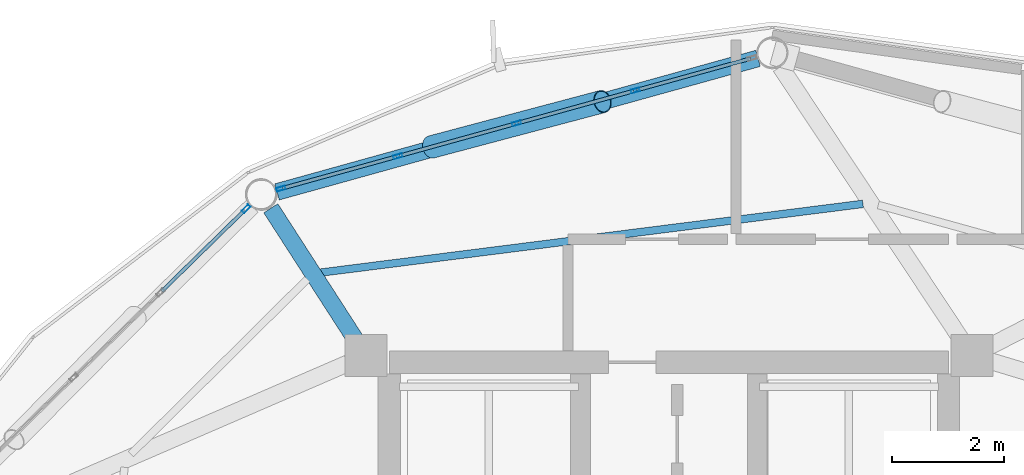
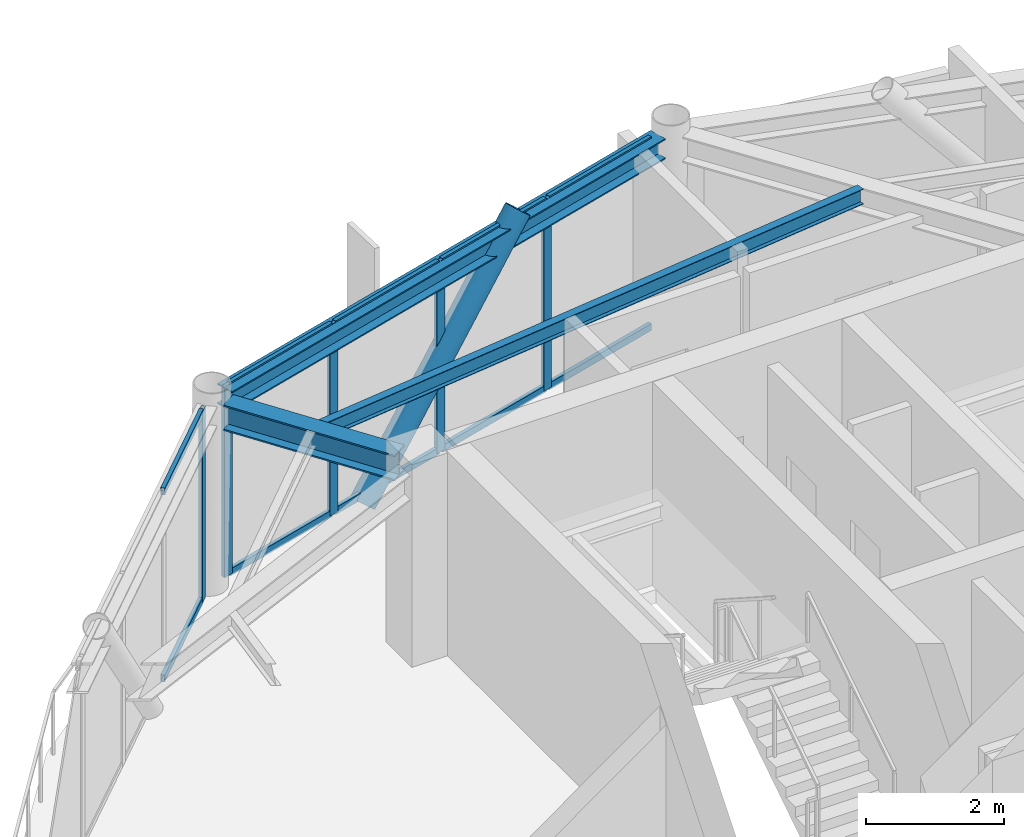
# One storey, part 17 of 25: 16 members, 3 beams, 2 elements without a shape of their own.
"""IFC4 building model written with IfcOpenShell, lengths in metres."""

import ifcopenshell
import ifcopenshell.guid

model = None  # the IFC model being written
_history = None  # IfcOwnerHistory: only IFC2X3 demands one
_inside = {}  # id of a spatial element -> (the spatial element, [elements in it])
_under = {}  # id of a project, library or spatial element -> (it, [spatial elements below it])
_declared = {}  # id of a project -> (the project, [libraries it declares])
_typed = {}  # id of a type object -> (the type object, [elements of that type])
_made_of = {}  # id of a material, layer set ... -> (it, [elements and type objects made of it])


def new_model(schema):
    """Start an empty IFC model of exactly this schema.

    Asked for "IFC4X3", IfcOpenShell would pick the latest addendum, in which some entities
    have other attributes; the version numbers below select the first issue.
    IFC2X3 requires an IfcOwnerHistory on every rooted entity: one is made here for all.
    """
    global model, _history
    if schema == "IFC4X3":
        model = ifcopenshell.file(schema_version=(4, 3, 0, 0))
    else:
        model = ifcopenshell.file(schema=schema)
    _inside.clear()
    _under.clear()
    _declared.clear()
    _typed.clear()
    _made_of.clear()
    _history = None
    if model.schema == "IFC2X3":
        org = make("IfcOrganization", Name="unknown")
        user = make(
            "IfcPersonAndOrganization",
            ThePerson=make("IfcPerson", FamilyName="unknown"),
            TheOrganization=org,
        )
        app = make(
            "IfcApplication",
            ApplicationDeveloper=org,
            Version="unknown",
            ApplicationFullName="unknown",
            ApplicationIdentifier="unknown",
        )
        _history = make(
            "IfcOwnerHistory",
            OwningUser=user,
            OwningApplication=app,
            ChangeAction="ADDED",
            CreationDate=0,
        )
    return model


def make(cls, **values):
    """One entity of the class cls with the attributes given. An attribute that is None is left unset."""
    return model.create_entity(
        cls, **{name: value for name, value in values.items() if value is not None}
    )


def rooted(cls, **values):
    """An entity with a GlobalId (a new one), such as an element, a storey or a relation."""
    return make(cls, GlobalId=ifcopenshell.guid.new(), OwnerHistory=_history, **values)


def si_unit(unit_type, name, prefix=None):
    """IfcSIUnit, for example si_unit("LENGTHUNIT", "METRE", prefix="MILLI")."""
    return make("IfcSIUnit", UnitType=unit_type, Prefix=prefix, Name=name)


def assignment(units):
    """IfcUnitAssignment: the units of a project."""
    return None if units is None else make("IfcUnitAssignment", Units=units)


def point(xyz):
    """IfcCartesianPoint."""
    return None if xyz is None else make("IfcCartesianPoint", Coordinates=xyz)


def direction(xyz):
    """IfcDirection."""
    return None if xyz is None else make("IfcDirection", DirectionRatios=xyz)


def frame(location, z_axis=None, x_axis=None):
    """IfcAxis2Placement3D, a coordinate frame: its origin and axes. An axis left out is left unset."""
    return make(
        "IfcAxis2Placement3D",
        Location=point(location),
        Axis=direction(z_axis),
        RefDirection=direction(x_axis),
    )


def frame_2d(location, x_axis=None):
    """IfcAxis2Placement2D, a coordinate frame in the plane: its origin and x axis."""
    return make(
        "IfcAxis2Placement2D", Location=point(location), RefDirection=direction(x_axis)
    )


def origin():
    """The frame at (0, 0, 0) with its axes left unset."""
    return frame((0.0, 0.0, 0.0))


def origin_2d():
    """The frame at (0, 0) in the plane with its x axis left unset."""
    return frame_2d((0.0, 0.0))


def place(relative_to, where):
    """IfcLocalPlacement: puts the frame where relative to a parent placement (None: the world)."""
    return make(
        "IfcLocalPlacement", PlacementRelTo=relative_to, RelativePlacement=where
    )


def context(
    kind, dimensions, precision=None, world=None, true_north=None, identifier=None
):
    """IfcGeometricRepresentationContext, for example the 3D "Model" context."""
    return make(
        "IfcGeometricRepresentationContext",
        ContextIdentifier=identifier,
        ContextType=kind,
        CoordinateSpaceDimension=dimensions,
        Precision=precision,
        WorldCoordinateSystem=world,
        TrueNorth=true_north,
    )


def subcontext(parent, identifier, kind, view, scale=None):
    """IfcGeometricRepresentationSubContext, for example "Body" below "Model"."""
    return make(
        "IfcGeometricRepresentationSubContext",
        ContextIdentifier=identifier,
        ContextType=kind,
        ParentContext=parent,
        TargetScale=scale,
        TargetView=view,
    )


def project(units=None, contexts=None):
    """IfcProject with its units and contexts."""
    return rooted(
        "IfcProject",
        Name="project",
        RepresentationContexts=contexts,
        UnitsInContext=assignment(units),
    )


def spatial(cls, under=None, at=None, **own):
    """A site, building, storey or space (cls), placed at a placement, below another one or the project."""
    s = rooted(cls, ObjectPlacement=at, **own)
    if under is not None:
        _under.setdefault(under.id(), (under, []))[1].append(s)
    return s


def profile(cls, at=None, kind="AREA", **sizes):
    """A parametric profile (cls). Its sizes go by their IFC names, for example OverallWidth=200.0."""
    return make(cls, ProfileType=kind, Position=at, **sizes)


def hollow_rectangle(**sizes):
    """IfcRectangleHollowProfileDef."""
    return profile("IfcRectangleHollowProfileDef", **sizes)


def hollow_circle(**sizes):
    """IfcCircleHollowProfileDef."""
    return profile("IfcCircleHollowProfileDef", **sizes)


def i_section(**sizes):
    """IfcIShapeProfileDef."""
    return profile("IfcIShapeProfileDef", **sizes)


def extrude(swept, where, along, depth):
    """IfcExtrudedAreaSolid: the profile swept, set in the frame where, extruded along a direction by depth."""
    return make(
        "IfcExtrudedAreaSolid",
        SweptArea=swept,
        Position=where,
        ExtrudedDirection=direction(along),
        Depth=depth,
    )


def shape(context_of_items, identifier, shape_type, items):
    """IfcShapeRepresentation: the items that make up one representation, for example the "Body"."""
    return make(
        "IfcShapeRepresentation",
        ContextOfItems=context_of_items,
        RepresentationIdentifier=identifier,
        RepresentationType=shape_type,
        Items=items,
    )


def material(Name=None, Category=None):
    """IfcMaterial."""
    return make("IfcMaterial", Name=Name, Category=Category)


def layer(
    of_material, thickness, ventilated=None, Name=None, Category=None, Priority=None
):
    """IfcMaterialLayer: one layer of a wall or slab, of a material (None: an air gap)."""
    return make(
        "IfcMaterialLayer",
        Material=of_material,
        LayerThickness=thickness,
        IsVentilated=ventilated,
        Name=Name,
        Category=Category,
        Priority=Priority,
    )


def layer_set(layers, Name=None):
    """IfcMaterialLayerSet."""
    return make("IfcMaterialLayerSet", MaterialLayers=layers, LayerSetName=Name)


def material_profile(
    of_material, cross_section, Name=None, Category=None, Priority=None
):
    """IfcMaterialProfile: a cross section and its material."""
    return make(
        "IfcMaterialProfile",
        Name=Name,
        Material=of_material,
        Profile=cross_section,
        Priority=Priority,
        Category=Category,
    )


def profile_set(profiles, Name=None, composite=None):
    """IfcMaterialProfileSet."""
    return make(
        "IfcMaterialProfileSet",
        Name=Name,
        MaterialProfiles=profiles,
        CompositeProfile=composite,
    )


def made_of(thing, what):
    """Note that an element or type object is made of a material, layer set ...; save() writes the relation."""
    if what is not None:
        _made_of.setdefault(what.id(), (what, []))[1].append(thing)
    return thing


def type_object(cls, material=None, **own):
    """A type object (cls), such as IfcWallType, which elements share."""
    return made_of(rooted(cls, **own), material)


def element(
    cls,
    number,
    at=None,
    inside=None,
    cuts=None,
    type_object=None,
    material=None,
    context=None,
    identifier="Body",
    shape_type=None,
    held_by="IfcProductDefinitionShape",
    body=None,
    shapes=None,
    **own,
):
    """One element of the class cls, such as IfcWall. Its Tag is "e" and its number.

    at: its placement. inside: the storey or other place that contains it. cuts: it is an
    opening in that element (IfcRelVoidsElement). A single representation is given by context,
    identifier, shape_type and body (its items); several are given by shapes. held_by: the class
    of the entity that holds the representations. save() writes the other relations.
    """
    e = rooted(cls, Tag="e%d" % number, ObjectPlacement=at, **own)
    if body is not None:
        shapes = [shape(context, identifier, shape_type, body)]
    if shapes is not None:
        e.Representation = make(held_by, Representations=shapes)
    if inside is not None:
        _inside.setdefault(inside.id(), (inside, []))[1].append(e)
    if cuts is not None:
        rooted(
            "IfcRelVoidsElement", RelatingBuildingElement=cuts, RelatedOpeningElement=e
        )
    if type_object is not None:
        _typed.setdefault(type_object.id(), (type_object, []))[1].append(e)
    return made_of(e, material)


def aggregate(whole, parts):
    """IfcRelAggregates: a whole, such as a stair, and the parts it consists of."""
    return rooted("IfcRelAggregates", RelatingObject=whole, RelatedObjects=parts)


def save(model, path):
    """Write the relations noted so far, then the file.

    IfcRelAggregates (storeys below a building ...), IfcRelContainedInSpatialStructure (elements
    in a storey), IfcRelDefinesByType, IfcRelAssociatesMaterial and IfcRelDeclares: one each for
    every whole, place, type object, material and project.
    """
    for whole, parts in _under.values():
        aggregate(whole, parts)
    for where, things in _inside.values():
        rooted(
            "IfcRelContainedInSpatialStructure",
            RelatedElements=things,
            RelatingStructure=where,
        )
    for kind, things in _typed.values():
        rooted("IfcRelDefinesByType", RelatedObjects=things, RelatingType=kind)
    for what, things in _made_of.values():
        rooted("IfcRelAssociatesMaterial", RelatedObjects=things, RelatingMaterial=what)
    for by, libraries in _declared.values():
        rooted("IfcRelDeclares", RelatingContext=by, RelatedDefinitions=libraries)
    model.write(path)


model = new_model("IFC4")

# Units and contexts
model_context = context("Model", 3, precision=1e-05, world=origin(), true_north=direction((0.0, 1.0)))
body_context = subcontext(model_context, "Body", "Model", "MODEL_VIEW")
ifc_project = project(units=[si_unit("LENGTHUNIT", "METRE"), si_unit("AREAUNIT", "SQUARE_METRE"), si_unit("VOLUMEUNIT", "CUBIC_METRE"), si_unit("PLANEANGLEUNIT", "RADIAN"), si_unit("MASSUNIT", "GRAM", prefix="KILO")], contexts=[model_context])

# Site, building, storey
site_placement = place(None, origin())
site = spatial("IfcSite", under=ifc_project, at=site_placement, CompositionType="ELEMENT")
building_placement = place(site_placement, origin())
building = spatial("IfcBuilding", under=site, at=building_placement, Name="Varnakorn Sky Granary", CompositionType="ELEMENT")
storey_placement = place(building_placement, frame((0.0, 0.0, 252.60009765625)))
storey = spatial("IfcBuildingStorey", under=building, at=storey_placement, Name="L64", CompositionType="ELEMENT", Elevation=252.60009765625)

# Beams
ifc_material_1 = material(Name="Steel S355JR", Category="steel")
ifc_material_profile_1 = material_profile(ifc_material_1, i_section(OverallWidth=0.300048828125, OverallDepth=0.449951171875, WebThickness=0.013916015625, FlangeThickness=0.02587890625, at=origin_2d()), Name="HE 450 B")
ifc_profile_set_1 = profile_set([ifc_material_profile_1], Name="Steel S355JR")
beam_type_1 = type_object("IfcBeamType", Name="BM-RAD-Z5", PredefinedType="BEAM", material=ifc_profile_set_1)
beam_1_placement = place(storey_placement, frame((-2.612548828125, 12.918212890625, 3.135009765625), z_axis=(-0.54208885277, 0.840321174137, 0.0), x_axis=(-0.840321174137, -0.54208885277, 0.0)))
element("IfcBeam", 1, at=beam_1_placement, inside=storey, type_object=beam_type_1, Name="Radial Floor Girder RG05 L64", PredefinedType="BEAM", context=body_context, shape_type="SweptSolid", body=[
    extrude(i_section(OverallWidth=0.300048828125, OverallDepth=0.449951171875, WebThickness=0.013916015625, FlangeThickness=0.02587890625, at=origin_2d()), origin(), (0.0, 0.0, 1.0), 2.779296875),
])
ifc_material_profile_2 = material_profile(ifc_material_1, i_section(OverallWidth=0.135009765625, OverallDepth=0.27001953125, WebThickness=0.006591796875, FlangeThickness=0.01025390625, at=origin_2d()), Name="IPE 270")
ifc_profile_set_2 = profile_set([ifc_material_profile_2], Name="Steel S355JR")
beam_type_2 = type_object("IfcBeamType", Name="BM-SEC-Z5", PredefinedType="BEAM", material=ifc_profile_set_2)
beam_2_placement = place(storey_placement, frame((6.47119140625, 15.33251953125, 3.224853515625), z_axis=(-0.99206550258, -0.125722068826, 0.0), x_axis=(0.125722068826, -0.99206550258, 0.0)))
element("IfcBeam", 2, at=beam_2_placement, inside=storey, type_object=beam_type_2, Name="Secondary Floor Chord Beam MSB04 L64", PredefinedType="BEAM", context=body_context, shape_type="SweptSolid", body=[
    extrude(i_section(OverallWidth=0.135009765625, OverallDepth=0.27001953125, WebThickness=0.006591796875, FlangeThickness=0.01025390625, at=origin_2d()), origin(), (0.0, 0.0, 1.0), 9.775634765625),
])
ifc_material_profile_3 = material_profile(ifc_material_1, i_section(OverallWidth=0.300048828125, OverallDepth=0.360107421875, WebThickness=0.012451171875, FlangeThickness=0.0224609375, at=origin_2d()), Name="HE 360 B")
ifc_profile_set_3 = profile_set([ifc_material_profile_3], Name="Steel S355JR")
beam_type_3 = type_object("IfcBeamType", Name="BM-SPD-Z5", PredefinedType="SPANDREL", material=ifc_profile_set_3)
beam_3_placement = place(storey_placement, frame((4.59521484375, 17.934326171875, 3.179931640625), z_axis=(-0.963574694559, -0.267439353883, 0.0), x_axis=(0.267439353883, -0.963574694559, 0.0)))
element("IfcBeam", 3, at=beam_3_placement, inside=storey, type_object=beam_type_3, Name="Perimeter Spandrel Ring Beam RB04 L64", PredefinedType="SPANDREL", context=body_context, shape_type="SweptSolid", body=[
    extrude(i_section(OverallWidth=0.300048828125, OverallDepth=0.360107421875, WebThickness=0.012451171875, FlangeThickness=0.0224609375, at=origin_2d()), origin(), (0.0, 0.0, 1.0), 8.927978515625),
])

# Curtain wall, members
ifc_material_2 = material(Name="Anodised Bronze Aluminium Alloy 6063-T6", Category="aluminium")
ifc_layer = layer(ifc_material_2, 0.159912109375, Name="Anodised Bronze Aluminium Alloy 6063-T6")
ifc_layer_set = layer_set([ifc_layer], Name="Anodised Bronze Aluminium Alloy 6063-T6")
curtain_wall_type = type_object("IfcCurtainWallType", Name="CW-OFF-1", PredefinedType="USERDEFINED", material=ifc_layer_set)
curtain_wall_1_placement = place(storey_placement, origin())
curtain_wall_1 = element("IfcCurtainWall", 4, at=curtain_wall_1_placement, inside=storey, type_object=curtain_wall_type, Name="Unitised Curtain Wall CW6 CW-L64-B04", ObjectType="CURTAIN WALL", PredefinedType="USERDEFINED")
ifc_material_profile_4 = material_profile(ifc_material_2, hollow_rectangle(XDim=0.06494140625, YDim=0.159912109375, WallThickness=0.00341796875, at=origin_2d()), Name="ALU MULL 65x160")
ifc_profile_set_4 = profile_set([ifc_material_profile_4], Name="Anodised Bronze Aluminium Alloy 6063-T6")
member_type_1 = type_object("IfcMemberType", Name="CW-OFF-1-MULL", PredefinedType="MULLION", material=ifc_profile_set_4)
member_1_placement = place(storey_placement, frame((-3.9375, 15.6044921875, 0.0), z_axis=(0.0, 0.0, 1.0), x_axis=(-0.266982378942, 0.963701410881, 0.0)))
member_1 = element("IfcMember", 5, at=member_1_placement, type_object=member_type_1, Name="CW6 mullion 1", PredefinedType="MULLION", context=body_context, shape_type="SweptSolid", body=[
    extrude(hollow_rectangle(XDim=0.06494140625, YDim=0.159912109375, WallThickness=0.00341796875, at=origin_2d()), origin(), (0.0, 0.0, 1.0), 3.35986328125),
])
member_2_placement = place(storey_placement, frame((-1.845947265625, 16.18408203125, 0.0), z_axis=(0.0, 0.0, 1.0), x_axis=(-0.266982378942, 0.963701410881, 0.0)))
member_2 = element("IfcMember", 6, at=member_2_placement, type_object=member_type_1, Name="CW6 mullion 2", PredefinedType="MULLION", context=body_context, shape_type="SweptSolid", body=[
    extrude(hollow_rectangle(XDim=0.06494140625, YDim=0.159912109375, WallThickness=0.00341796875, at=origin_2d()), origin(), (0.0, 0.0, 1.0), 3.35986328125),
])
member_3_placement = place(storey_placement, frame((0.277099609375, 16.772216796875, 0.0), z_axis=(0.0, 0.0, 1.0), x_axis=(-0.266982378942, 0.963701410881, 0.0)))
member_3 = element("IfcMember", 7, at=member_3_placement, type_object=member_type_1, Name="CW6 mullion 3", PredefinedType="MULLION", context=body_context, shape_type="SweptSolid", body=[
    extrude(hollow_rectangle(XDim=0.06494140625, YDim=0.159912109375, WallThickness=0.00341796875, at=origin_2d()), origin(), (0.0, 0.0, 1.0), 3.35986328125),
])
member_4_placement = place(storey_placement, frame((2.39990234375, 17.3603515625, 0.0), z_axis=(0.0, 0.0, 1.0), x_axis=(-0.266982378942, 0.963701410881, 0.0)))
member_4 = element("IfcMember", 8, at=member_4_placement, type_object=member_type_1, Name="CW6 mullion 4", PredefinedType="MULLION", context=body_context, shape_type="SweptSolid", body=[
    extrude(hollow_rectangle(XDim=0.06494140625, YDim=0.159912109375, WallThickness=0.00341796875, at=origin_2d()), origin(), (0.0, 0.0, 1.0), 3.35986328125),
])

# Curtain wall, member
curtain_wall_2_placement = place(storey_placement, origin())
curtain_wall_2 = element("IfcCurtainWall", 9, at=curtain_wall_2_placement, inside=storey, type_object=curtain_wall_type, Name="Unitised Curtain Wall CW6 CW-L64-B05", ObjectType="CURTAIN WALL", PredefinedType="USERDEFINED")
member_5_placement = place(storey_placement, frame((-4.561767578125, 15.2451171875, 0.0), z_axis=(0.0, 0.0, 1.0), x_axis=(-0.699482431072, 0.71464979439, 0.0)))
member_5 = element("IfcMember", 10, at=member_5_placement, type_object=member_type_1, Name="CW6 mullion 5", PredefinedType="MULLION", context=body_context, shape_type="SweptSolid", body=[
    extrude(hollow_rectangle(XDim=0.06494140625, YDim=0.159912109375, WallThickness=0.00341796875, at=origin_2d()), origin(), (0.0, 0.0, 1.0), 3.35986328125),
])

# Member
ifc_material_profile_5 = material_profile(ifc_material_2, hollow_rectangle(XDim=0.06494140625, YDim=0.1201171875, WallThickness=0.00341796875, at=origin_2d()), Name="ALU TRAN 65x120")
ifc_profile_set_5 = profile_set([ifc_material_profile_5], Name="Anodised Bronze Aluminium Alloy 6063-T6")
member_type_2 = type_object("IfcMemberType", Name="CW-OFF-1-TRAN", PredefinedType="USERDEFINED", material=ifc_profile_set_5)
member_6_placement = place(storey_placement, frame((-3.90625, 15.61328125, 0.032470703125), z_axis=(0.96371533785, 0.266932102964, 0.0), x_axis=(-0.266932102964, 0.96371533785, 0.0)))
member_6 = element("IfcMember", 11, at=member_6_placement, type_object=member_type_2, Name="CW6 transom 1.1", ObjectType="TRANSOM", PredefinedType="USERDEFINED", context=body_context, shape_type="SweptSolid", body=[
    extrude(hollow_rectangle(XDim=0.06494140625, YDim=0.1201171875, WallThickness=0.00341796875, at=origin_2d()), origin(), (0.0, 0.0, 1.0), 2.10546875),
])

member_7_placement = place(storey_placement, frame((-3.90625, 15.61328125, 3.327392578125), z_axis=(0.96371533785, 0.266932102964, 0.0), x_axis=(-0.266932102964, 0.96371533785, 0.0)))
member_7 = element("IfcMember", 12, at=member_7_placement, type_object=member_type_2, Name="CW6 transom 1.2", ObjectType="TRANSOM", PredefinedType="USERDEFINED", context=body_context, shape_type="SweptSolid", body=[
    extrude(hollow_rectangle(XDim=0.06494140625, YDim=0.1201171875, WallThickness=0.00341796875, at=origin_2d()), origin(), (0.0, 0.0, 1.0), 2.10546875),
])

member_8_placement = place(storey_placement, frame((-1.814697265625, 16.192626953125, 0.032470703125), z_axis=(0.963699288782, 0.266990038769, 0.0), x_axis=(-0.266990038769, 0.963699288782, 0.0)))
member_8 = element("IfcMember", 13, at=member_8_placement, type_object=member_type_2, Name="CW6 transom 2.1", ObjectType="TRANSOM", PredefinedType="USERDEFINED", context=body_context, shape_type="SweptSolid", body=[
    extrude(hollow_rectangle(XDim=0.06494140625, YDim=0.1201171875, WallThickness=0.00341796875, at=origin_2d()), origin(), (0.0, 0.0, 1.0), 2.137939453125),
])

member_9_placement = place(storey_placement, frame((-1.814697265625, 16.192626953125, 3.327392578125), z_axis=(0.963699288782, 0.266990038769, 0.0), x_axis=(-0.266990038769, 0.963699288782, 0.0)))
member_9 = element("IfcMember", 14, at=member_9_placement, type_object=member_type_2, Name="CW6 transom 2.2", ObjectType="TRANSOM", PredefinedType="USERDEFINED", context=body_context, shape_type="SweptSolid", body=[
    extrude(hollow_rectangle(XDim=0.06494140625, YDim=0.1201171875, WallThickness=0.00341796875, at=origin_2d()), origin(), (0.0, 0.0, 1.0), 2.137939453125),
])

member_10_placement = place(storey_placement, frame((0.308349609375, 16.78076171875, 0.032470703125), z_axis=(0.963699288782, 0.266990038769, 0.0), x_axis=(-0.266990038769, 0.963699288782, 0.0)))
member_10 = element("IfcMember", 15, at=member_10_placement, type_object=member_type_2, Name="CW6 transom 3.1", ObjectType="TRANSOM", PredefinedType="USERDEFINED", context=body_context, shape_type="SweptSolid", body=[
    extrude(hollow_rectangle(XDim=0.06494140625, YDim=0.1201171875, WallThickness=0.00341796875, at=origin_2d()), origin(), (0.0, 0.0, 1.0), 2.137939453125),
])

member_11_placement = place(storey_placement, frame((0.308349609375, 16.78076171875, 3.327392578125), z_axis=(0.963699288782, 0.266990038769, 0.0), x_axis=(-0.266990038769, 0.963699288782, 0.0)))
member_11 = element("IfcMember", 16, at=member_11_placement, type_object=member_type_2, Name="CW6 transom 3.2", ObjectType="TRANSOM", PredefinedType="USERDEFINED", context=body_context, shape_type="SweptSolid", body=[
    extrude(hollow_rectangle(XDim=0.06494140625, YDim=0.1201171875, WallThickness=0.00341796875, at=origin_2d()), origin(), (0.0, 0.0, 1.0), 2.137939453125),
])

member_12_placement = place(storey_placement, frame((2.43115234375, 17.368896484375, 0.032470703125), z_axis=(0.963685503319, 0.267039792341, 0.0), x_axis=(-0.267039792341, 0.963685503319, 0.0)))
member_12 = element("IfcMember", 17, at=member_12_placement, type_object=member_type_2, Name="CW6 transom 4.1", ObjectType="TRANSOM", PredefinedType="USERDEFINED", context=body_context, shape_type="SweptSolid", body=[
    extrude(hollow_rectangle(XDim=0.06494140625, YDim=0.1201171875, WallThickness=0.00341796875, at=origin_2d()), origin(), (0.0, 0.0, 1.0), 2.10546875),
])

member_13_placement = place(storey_placement, frame((2.43115234375, 17.368896484375, 3.327392578125), z_axis=(0.963685503319, 0.267039792341, 0.0), x_axis=(-0.267039792341, 0.963685503319, 0.0)))
member_13 = element("IfcMember", 18, at=member_13_placement, type_object=member_type_2, Name="CW6 transom 4.2", ObjectType="TRANSOM", PredefinedType="USERDEFINED", context=body_context, shape_type="SweptSolid", body=[
    extrude(hollow_rectangle(XDim=0.06494140625, YDim=0.1201171875, WallThickness=0.00341796875, at=origin_2d()), origin(), (0.0, 0.0, 1.0), 2.10546875),
])

aggregate(curtain_wall_1, [member_1, member_2, member_3, member_4, member_6, member_7, member_8, member_9, member_10, member_11, member_12, member_13])

member_14_placement = place(storey_placement, frame((-6.06787109375, 13.77099609375, 0.032470703125), z_axis=(0.714655000543, 0.69947711199, 0.0), x_axis=(-0.69947711199, 0.714655000543, 0.0)))
member_14 = element("IfcMember", 19, at=member_14_placement, type_object=member_type_2, Name="CW6 transom 4.1", ObjectType="TRANSOM", PredefinedType="USERDEFINED", context=body_context, shape_type="SweptSolid", body=[
    extrude(hollow_rectangle(XDim=0.06494140625, YDim=0.1201171875, WallThickness=0.00341796875, at=origin_2d()), origin(), (0.0, 0.0, 1.0), 2.074951171875),
])

member_15_placement = place(storey_placement, frame((-6.06787109375, 13.77099609375, 3.327392578125), z_axis=(0.714655000543, 0.69947711199, 0.0), x_axis=(-0.69947711199, 0.714655000543, 0.0)))
member_15 = element("IfcMember", 20, at=member_15_placement, type_object=member_type_2, Name="CW6 transom 4.2", ObjectType="TRANSOM", PredefinedType="USERDEFINED", context=body_context, shape_type="SweptSolid", body=[
    extrude(hollow_rectangle(XDim=0.06494140625, YDim=0.1201171875, WallThickness=0.00341796875, at=origin_2d()), origin(), (0.0, 0.0, 1.0), 2.074951171875),
])

aggregate(curtain_wall_2, [member_5, member_14, member_15])

ifc_material_3 = material(Name="Steel S460M", Category="steel")
ifc_material_profile_6 = material_profile(ifc_material_3, hollow_circle(Radius=0.203125, WallThickness=0.01611328125, at=origin_2d()), Name="CHS 406.4x16")
ifc_profile_set_6 = profile_set([ifc_material_profile_6], Name="Steel S460M")
member_type_3 = type_object("IfcMemberType", Name="MB-DIAG-T4", PredefinedType="BRACE", material=ifc_profile_set_6)
member_16_placement = place(storey_placement, frame((-1.247314453125, 16.349853515625, -0.130126953125), z_axis=(0.636254702082, 0.168899656413, 0.752763482205), x_axis=(-0.256572909376, 0.966524879232, 0.0)))
element("IfcMember", 21, at=member_16_placement, inside=storey, type_object=member_type_3, Name="Perimeter CHS Diagrid Brace DG04 L64", PredefinedType="BRACE", context=body_context, shape_type="SweptSolid", body=[
    extrude(hollow_circle(Radius=0.203125, WallThickness=0.01611328125, at=origin_2d()), origin(), (0.0, 0.0, 1.0), 4.80908203125),
])

save(model, "model.ifc")
